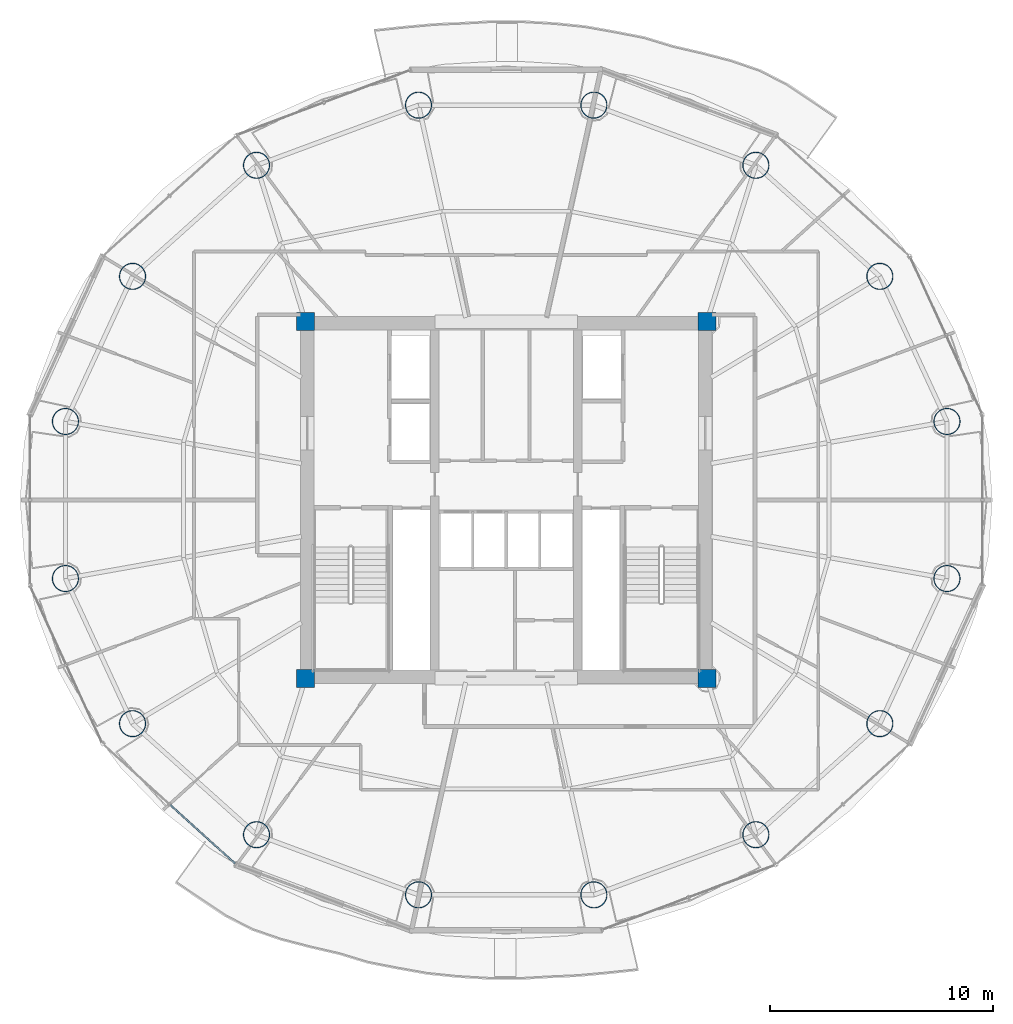
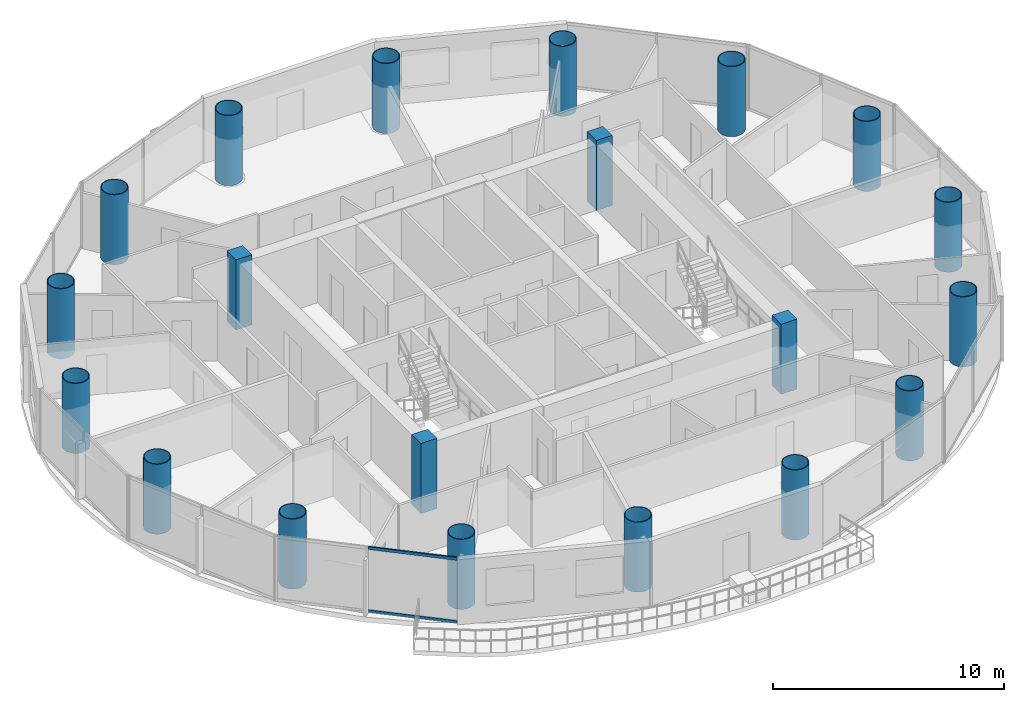
# One storey, part 1 of 26: 20 columns, 2 members, 1 element without a shape of its own.
"""IFC4 building model written with IfcOpenShell, lengths in metres."""

from ifc_helpers import new_model, si_unit, direction, frame, origin, origin_2d, place, context, subcontext, project, spatial, rectangle, hollow_rectangle, hollow_circle, extrude, source, transform, mapped, material, material_profile, profile_set, type_object, element, aggregate, save


model = new_model("IFC4")

# Units and contexts
model_context = context("Model", 3, precision=1e-05, world=origin(), true_north=direction((-0.2419218956, 0.970295726276)))
body_context = subcontext(model_context, "Body", "Model", "MODEL_VIEW")
ifc_project = project(units=[si_unit("LENGTHUNIT", "METRE"), si_unit("AREAUNIT", "SQUARE_METRE"), si_unit("VOLUMEUNIT", "CUBIC_METRE"), si_unit("PLANEANGLEUNIT", "RADIAN"), si_unit("MASSUNIT", "GRAM", prefix="KILO")], contexts=[model_context])

# Site, building, storey
site_placement = place(None, origin())
site = spatial("IfcSite", under=ifc_project, at=site_placement, CompositionType="ELEMENT")
building_placement = place(site_placement, origin())
building = spatial("IfcBuilding", under=site, at=building_placement, Name="Cobrevalo Terracotta Tower", CompositionType="ELEMENT")
storey_placement = place(building_placement, frame((0.0, 0.0, 213.39990234375)))
storey = spatial("IfcBuildingStorey", under=building, at=storey_placement, Name="L56", CompositionType="ELEMENT", Elevation=213.39990234375)

# Columns
ifc_material_1 = material(Name="Steel S355", Category="steel")
ifc_material_profile_1 = material_profile(ifc_material_1, hollow_circle(Radius=0.60009765625, WallThickness=0.0380859375, at=origin_2d()), Name="CHS 1200x38")
ifc_profile_set_1 = profile_set([ifc_material_profile_1], Name="Steel S355")
column_type_1 = type_object("IfcColumnType", Name="Structural Column CHS 1200x38 (Steel S355)", PredefinedType="COLUMN", material=ifc_profile_set_1)
for number, where, z_axis, x_axis, name in (
    (1, (57.762939453125, 30.3212890625, 0.0), (0.0, 0.0, 1.0), (1.0, 0.0, 0.0), "L56 composite megacolumn MC01"),
    (2, (54.754150390625, 36.828125, 0.0), (0.0, 0.0, 1.0), (1.0, 0.0, 0.0), "L56 composite megacolumn MC02"),
    (3, (49.19482421875, 41.80810546875, 0.0), (0.0, 0.0, 1.0), (1.0, 0.0, 0.0), "L56 composite megacolumn MC03"),
    (4, (41.93115234375, 44.503173828125, 0.0), (0.0, 0.0, 1.0), (1.0, 0.0, 0.0), "L56 composite megacolumn MC04"),
    (5, (34.06884765625, 44.503173828125, 0.0), (0.0, 0.0, 1.0), (1.0, 0.0, 0.0), "L56 composite megacolumn MC05"),
    (6, (26.80517578125, 41.80810546875, 0.0), (0.0, 0.0, 1.0), (1.0, 0.0, 0.0), "L56 composite megacolumn MC06"),
    (7, (21.245849609375, 36.828125, 0.0), (0.0, 0.0, 1.0), (1.0, 0.0, 0.0), "L56 composite megacolumn MC07"),
    (8, (18.237060546875, 30.3212890625, 0.0), (0.0, 0.0, 1.0), (1.0, 0.0, 0.0), "L56 composite megacolumn MC08"),
    (9, (18.237060546875, 23.278564453125, 0.0), (0.0, 0.0, 1.0), (1.0, 0.0, 0.0), "L56 composite megacolumn MC09"),
    (10, (21.245849609375, 16.77197265625, 0.0), (0.0, 0.0, 1.0), (1.0, 0.0, 0.0), "L56 composite megacolumn MC10"),
    (11, (26.80517578125, 11.7919921875, 0.0), (0.0, 0.0, 1.0), (1.0, 0.0, 0.0), "L56 composite megacolumn MC11"),
    (12, (34.06884765625, 9.096923828125, 0.0), (0.0, 0.0, 1.0), (1.0, 0.0, 0.0), "L56 composite megacolumn MC12"),
    (13, (41.93115234375, 9.096923828125, 0.0), (0.0, 0.0, 1.0), (1.0, 0.0, 0.0), "L56 composite megacolumn MC13"),
    (14, (49.19482421875, 11.7919921875, 0.0), (0.0, 0.0, 1.0), (1.0, 0.0, 0.0), "L56 composite megacolumn MC14"),
    (15, (54.754150390625, 16.77197265625, 0.0), (0.0, 0.0, 1.0), (1.0, 0.0, 0.0), "L56 composite megacolumn MC15"),
    (16, (57.762939453125, 23.278564453125, 0.0), (0.0, 0.0, 1.0), (1.0, 0.0, 0.0), "L56 composite megacolumn MC16"),
):
    element("IfcColumn", number, at=place(storey_placement, frame(where, z_axis=z_axis, x_axis=x_axis)), inside=storey, type_object=column_type_1, Name=name, PredefinedType="COLUMN", context=body_context, shape_type="SweptSolid", body=[
        extrude(hollow_circle(Radius=0.60009765625, WallThickness=0.0380859375, at=origin_2d()), origin(), (0.0, 0.0, 1.0), 3.7001953125),
    ])
ifc_material_2 = material(Name="Concrete C50", Category="concrete")
ifc_material_profile_2 = material_profile(ifc_material_2, rectangle(XDim=0.800048828125, YDim=0.800048828125, at=origin_2d()), Name="RC COL 800x800")
ifc_profile_set_2 = profile_set([ifc_material_profile_2], Name="Concrete C50")
column_type_2 = type_object("IfcColumnType", Name="Structural Column RC COL 800x800 (Concrete C50)", PredefinedType="COLUMN", material=ifc_profile_set_2)
for number, where, z_axis, x_axis, name in (
    (17, (29.0, 18.800048828125, 0.0), (0.0, 0.0, 1.0), (1.0, 0.0, 0.0), "L56 core corner column CC1"),
    (18, (47.0, 18.800048828125, 0.0), (0.0, 0.0, 1.0), (1.0, 0.0, 0.0), "L56 core corner column CC2"),
    (19, (47.0, 34.800048828125, 0.0), (0.0, 0.0, 1.0), (1.0, 0.0, 0.0), "L56 core corner column CC3"),
    (20, (29.0, 34.800048828125, 0.0), (0.0, 0.0, 1.0), (1.0, 0.0, 0.0), "L56 core corner column CC4"),
):
    element("IfcColumn", number, at=place(storey_placement, frame(where, z_axis=z_axis, x_axis=x_axis)), inside=storey, type_object=column_type_2, Name=name, PredefinedType="COLUMN", context=body_context, shape_type="SweptSolid", body=[
        extrude(rectangle(XDim=0.800048828125, YDim=0.800048828125, at=origin_2d()), origin(), (0.0, 0.0, 1.0), 3.7001953125),
    ])

# Curtain wall, members
ifc_material_3 = material(Name="Anodized aluminium", Category="aluminium")
curtain_wall_type = type_object("IfcCurtainWallType", Name="Mid-tower high-wind unitised curtain wall CW-U2", PredefinedType="NOTDEFINED", material=ifc_material_3)
curtain_wall_placement = place(storey_placement, origin())
curtain_wall = element("IfcCurtainWall", 21, at=curtain_wall_placement, inside=storey, type_object=curtain_wall_type, Name="L56 curtain wall CW-L56-S10", PredefinedType="NOTDEFINED")
ifc_material_profile_3 = material_profile(ifc_material_3, hollow_rectangle(XDim=0.074951171875, YDim=0.14990234375, WallThickness=0.00439453125, at=origin_2d()), Name="CWT 75x150")
ifc_profile_set_3 = profile_set([ifc_material_profile_3], Name="Anodized aluminium")
member_type = type_object("IfcMemberType", Name="Tower unitised aluminium transom 75x150", PredefinedType="USERDEFINED", material=ifc_profile_set_3)
shared_shape = source(origin(), body_context, "Body", "SweptSolid", [
    extrude(hollow_rectangle(XDim=0.074951171875, YDim=0.14990234375, WallThickness=0.00439453125, at=origin_2d()), origin(), (0.0, 0.0, 1.0), 3.927734375),
])
member_1_placement = place(storey_placement, frame((22.931640625, 13.131591796875, 0.050048828125), z_axis=(0.742003891138, -0.670395573923, 0.0), x_axis=(0.670395573923, 0.742003891138, 0.0)))
member_1 = element("IfcMember", 22, at=member_1_placement, type_object=member_type, Name="CW-L56-S10 transom B02-T1", ObjectType="TRANSOM", PredefinedType="USERDEFINED", context=body_context, shape_type="MappedRepresentation", body=[
    mapped(shared_shape, transform((0.0, 0.0, 0.0), scale=1.0)),
])
member_2_placement = place(storey_placement, frame((22.931640625, 13.131591796875, 3.385009765625), z_axis=(0.742003891138, -0.670395573923, 0.0), x_axis=(0.670395573923, 0.742003891138, 0.0)))
member_2 = element("IfcMember", 23, at=member_2_placement, type_object=member_type, Name="CW-L56-S10 transom B02-T2", ObjectType="TRANSOM", PredefinedType="USERDEFINED", context=body_context, shape_type="MappedRepresentation", body=[
    mapped(shared_shape, transform((0.0, 0.0, 0.0), scale=1.0)),
])
aggregate(curtain_wall, [member_1, member_2])

save(model, "model.ifc")
